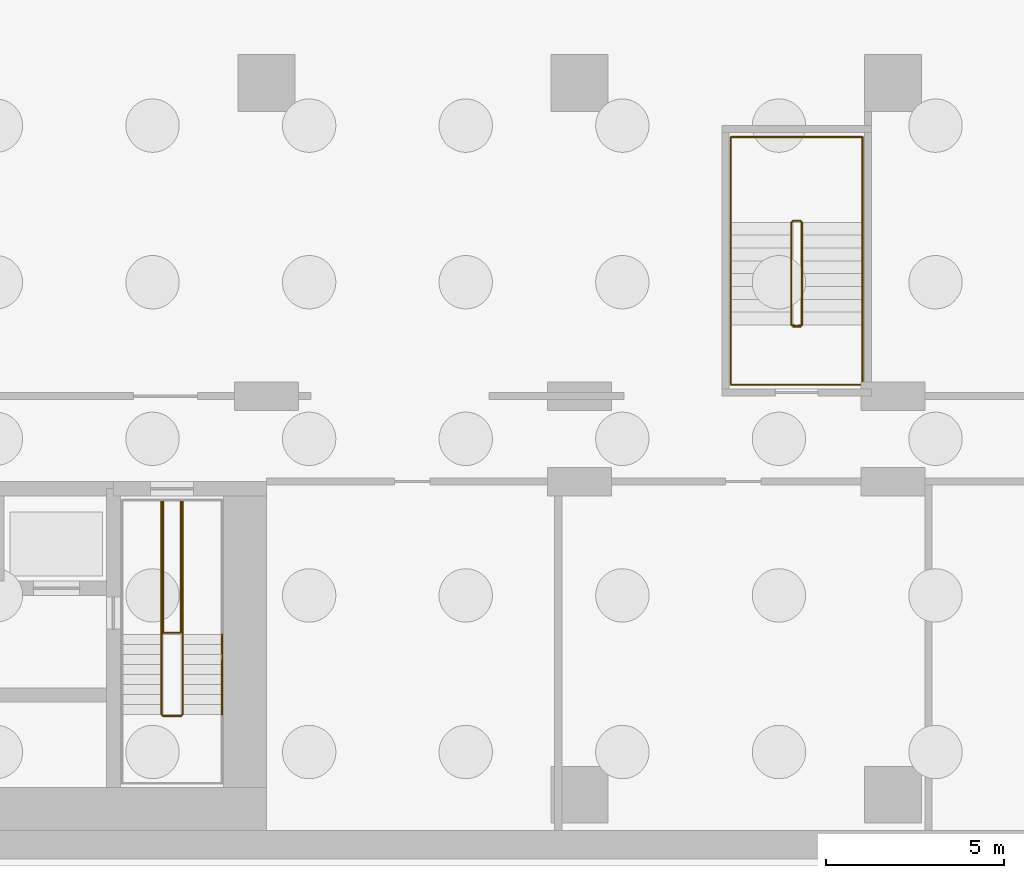
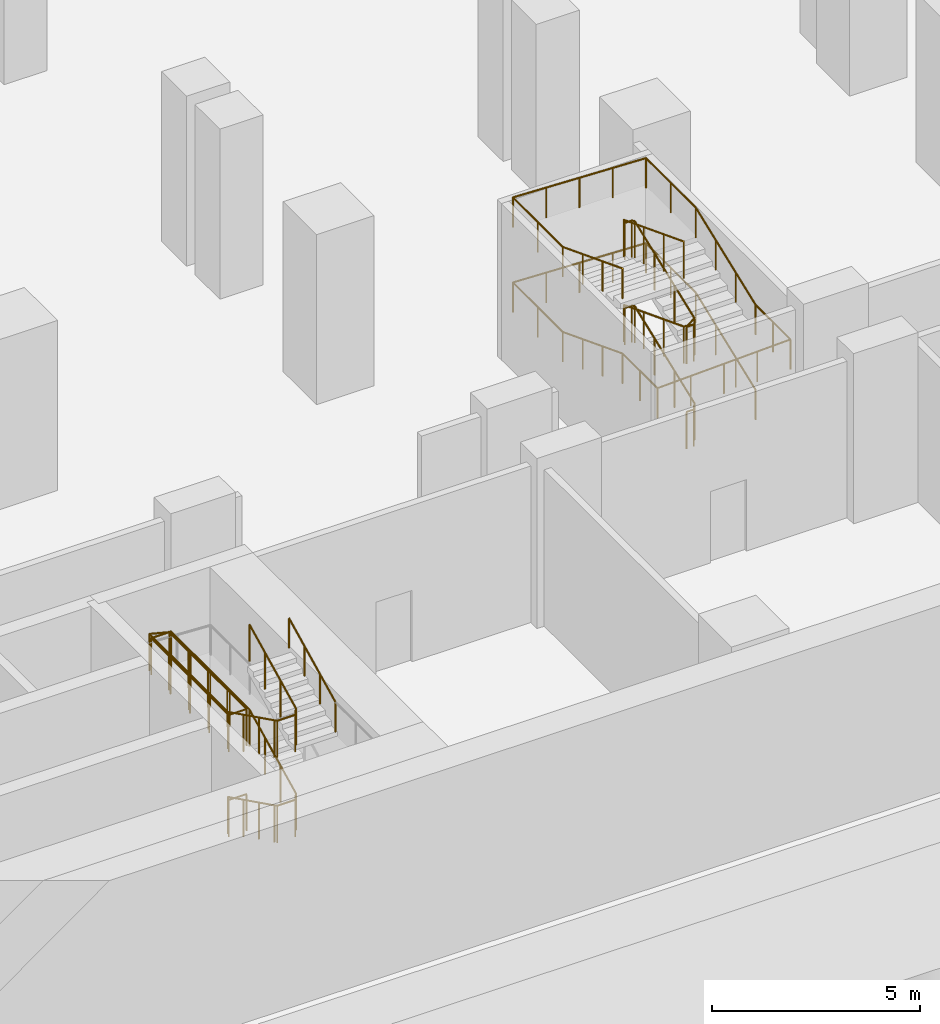
# One storey, part 11 of 14: 4 railings.
"""IFC4 building model written with IfcOpenShell, lengths in metres."""

from ifc_helpers import new_model, si_unit, direction, frame, origin, origin_2d, place, context, subcontext, project, spatial, circle, extrude, material, type_object, element, save


model = new_model("IFC4")

# Units and contexts
model_context = context("Model", 3, precision=1e-05, world=origin(), true_north=direction((0.0, 1.0)))
body_context = subcontext(model_context, "Body", "Model", "MODEL_VIEW")
ifc_project = project(units=[si_unit("LENGTHUNIT", "METRE"), si_unit("AREAUNIT", "SQUARE_METRE"), si_unit("VOLUMEUNIT", "CUBIC_METRE"), si_unit("PLANEANGLEUNIT", "RADIAN"), si_unit("MASSUNIT", "GRAM", prefix="KILO")], contexts=[model_context])

# Site, building, storey
site_placement = place(None, origin())
site = spatial("IfcSite", under=ifc_project, at=site_placement, CompositionType="ELEMENT")
building_placement = place(site_placement, origin())
building = spatial("IfcBuilding", under=site, at=building_placement, Name="Kemantara Hotel Tower", CompositionType="ELEMENT")
storey_placement = place(building_placement, frame((0.0, 0.0, -17.0)))
storey = spatial("IfcBuildingStorey", under=building, at=storey_placement, Name="B3", CompositionType="ELEMENT", Elevation=-17.0)

# Railings
ifc_material = material(Name="Stainless steel balustrade", Category="steel")
railing_type_1 = type_object("IfcRailingType", Name="Stair guard 1100 mm", PredefinedType="GUARDRAIL", material=ifc_material)
railing_1_placement = place(storey_placement, frame((42.64990234375, 5.5, 5.0)))
element("IfcRailing", 1, at=railing_1_placement, inside=storey, type_object=railing_type_1, Name="B3 ST2 stair guard 1", PredefinedType="GUARDRAIL", context=body_context, shape_type="SweptSolid", body=[
    extrude(circle(Radius=0.02392578125, at=origin_2d()), frame((0.0, 0.0, 1.076171875), z_axis=(0.0, -0.895848192791, -0.444360231651), x_axis=(1.0, 0.0, 0.0)), (0.0, 0.0, 1.0), 2.50048828125),
    extrude(circle(Radius=0.02392578125, at=origin_2d()), frame((0.0, -2.239990234375, -0.03515625), z_axis=(-0.319608697381, -0.321175406682, -0.891457592206), x_axis=(0.708833529934, -0.705375805398, 0.0)), (0.0, 0.0, 1.0), 0.15576171875),
    extrude(circle(Radius=0.02392578125, at=origin_2d()), frame((-0.0498046875, -2.2900390625, -0.173828125), z_axis=(-1.0, 0.0, 0.0), x_axis=(0.0, -1.0, 0.0)), (0.0, 0.0, 1.0), 0.5),
    extrude(circle(Radius=0.02392578125, at=origin_2d()), frame((-0.5498046875, -2.2900390625, -0.173828125), z_axis=(-0.707106781187, 0.707106781187, 0.0), x_axis=(-0.707106781187, -0.707106781187, 0.0)), (0.0, 0.0, 1.0), 0.07080078125),
    extrude(circle(Radius=0.02392578125, at=origin_2d()), frame((-0.599853515625, -2.239990234375, -0.173828125), z_axis=(0.0, 0.895848192791, -0.444360231651), x_axis=(-1.0, 0.0, 0.0)), (0.0, 0.0, 1.0), 2.50048828125),
    extrude(circle(Radius=0.02392578125, at=origin_2d()), frame((-0.599853515625, 0.0, -1.28515625), z_axis=(0.0, 1.0, 0.0), x_axis=(-1.0, 0.0, 0.0)), (0.0, 0.0, 1.0), 3.780029296875),
    extrude(circle(Radius=0.02392578125, at=origin_2d()), frame((-0.599853515625, 3.780029296875, -1.28515625), z_axis=(0.969557479204, 0.0, -0.244863828525), x_axis=(0.0, 1.0, 0.0)), (0.0, 0.0, 1.0), 0.5673828125),
    extrude(circle(Radius=0.02392578125, at=origin_2d()), frame((-0.0498046875, 3.780029296875, -1.423828125), z_axis=(0.0, -1.0, 0.0), x_axis=(1.0, 0.0, 0.0)), (0.0, 0.0, 1.0), 3.72998046875),
    extrude(circle(Radius=0.02392578125, at=origin_2d()), frame((-0.0498046875, 0.050048828125, -1.423828125), z_axis=(-1.0, 0.0, 0.0), x_axis=(0.0, -1.0, 0.0)), (0.0, 0.0, 1.0), 0.5),
    extrude(circle(Radius=0.02392578125, at=origin_2d()), frame((-0.5498046875, 0.050048828125, -1.423828125), z_axis=(0.0, 1.0, 0.0), x_axis=(-1.0, 0.0, 0.0)), (0.0, 0.0, 1.0), 3.72998046875),
    extrude(circle(Radius=0.02392578125, at=origin_2d()), frame((-0.5498046875, 3.780029296875, -1.423828125), z_axis=(1.0, 0.0, 0.0), x_axis=(0.0, 1.0, 0.0)), (0.0, 0.0, 1.0), 0.5498046875),
    extrude(circle(Radius=0.02392578125, at=origin_2d()), frame((0.0, 3.780029296875, -1.423828125), z_axis=(0.0, -1.0, 0.0), x_axis=(1.0, 0.0, 0.0)), (0.0, 0.0, 1.0), 3.780029296875),
    extrude(circle(Radius=0.02392578125, at=origin_2d()), frame((0.0, 0.0, -1.423828125), z_axis=(0.0, -0.895848192791, -0.444360231651), x_axis=(1.0, 0.0, 0.0)), (0.0, 0.0, 1.0), 2.50048828125),
    extrude(circle(Radius=0.02392578125, at=origin_2d()), frame((0.0, -2.239990234375, -2.53515625), z_axis=(-0.319608697381, -0.321175406682, -0.891457592206), x_axis=(0.708833529934, -0.705375805398, 0.0)), (0.0, 0.0, 1.0), 0.15576171875),
    extrude(circle(Radius=0.02392578125, at=origin_2d()), frame((-0.0498046875, -2.2900390625, -2.673828125), z_axis=(-1.0, 0.0, 0.0), x_axis=(0.0, -1.0, 0.0)), (0.0, 0.0, 1.0), 0.5),
    extrude(circle(Radius=0.02392578125, at=origin_2d()), frame((-0.5498046875, -2.2900390625, -2.673828125), z_axis=(-0.707106781187, 0.707106781187, 0.0), x_axis=(-0.707106781187, -0.707106781187, 0.0)), (0.0, 0.0, 1.0), 0.07080078125),
    extrude(circle(Radius=0.02392578125, at=origin_2d()), frame((-0.599853515625, -2.239990234375, -2.673828125), z_axis=(0.0, 0.895848192791, -0.444360231651), x_axis=(-1.0, 0.0, 0.0)), (0.0, 0.0, 1.0), 2.50048828125),
    extrude(circle(Radius=0.02392578125, at=origin_2d()), frame((-0.599853515625, 0.0, -3.78515625), z_axis=(0.321014310373, 0.321014310373, -0.891010451718), x_axis=(-0.707106781187, 0.707106781187, 0.0)), (0.0, 0.0, 1.0), 0.156005859375),
    extrude(circle(Radius=0.02392578125, at=origin_2d()), frame((-0.5498046875, 0.050048828125, -3.923828125), z_axis=(1.0, 0.0, 0.0), x_axis=(0.0, 1.0, 0.0)), (0.0, 0.0, 1.0), 0.5),
    extrude(circle(Radius=0.02099609375, at=origin_2d()), origin(), (0.0, 0.0, 1.0), 1.052001953125),
    extrude(circle(Radius=0.02099609375, at=origin_2d()), frame((0.0, -0.74658203125, -0.370361328125)), (0.0, 0.0, 1.0), 1.052001953125),
    extrude(circle(Radius=0.02099609375, at=origin_2d()), frame((0.0, -1.493408203125, -0.74072265625)), (0.0, 0.0, 1.0), 1.052001953125),
    extrude(circle(Radius=0.02099609375, at=origin_2d()), frame((0.0, -2.239990234375, -1.111083984375)), (0.0, 0.0, 1.0), 1.052001953125),
    extrude(circle(Radius=0.02099609375, at=origin_2d()), frame((-0.0498046875, -2.2900390625, -1.25)), (0.0, 0.0, 1.0), 1.052001953125),
    extrude(circle(Radius=0.02099609375, at=origin_2d()), frame((-0.5498046875, -2.2900390625, -1.25)), (0.0, 0.0, 1.0), 1.052001953125),
    extrude(circle(Radius=0.02099609375, at=origin_2d()), frame((-0.599853515625, -2.239990234375, -1.25)), (0.0, 0.0, 1.0), 1.052001953125),
    extrude(circle(Radius=0.02099609375, at=origin_2d()), frame((-0.599853515625, -1.493408203125, -1.620361328125)), (0.0, 0.0, 1.0), 1.052001953125),
    extrude(circle(Radius=0.02099609375, at=origin_2d()), frame((-0.599853515625, -0.74658203125, -1.99072265625)), (0.0, 0.0, 1.0), 1.052001953125),
    extrude(circle(Radius=0.02099609375, at=origin_2d()), frame((-0.599853515625, 0.0, -2.361083984375)), (0.0, 0.0, 1.0), 1.052001953125),
    extrude(circle(Radius=0.02099609375, at=origin_2d()), frame((-0.599853515625, 0.945068359375, -2.361083984375)), (0.0, 0.0, 1.0), 1.052001953125),
    extrude(circle(Radius=0.02099609375, at=origin_2d()), frame((-0.599853515625, 1.89013671875, -2.361083984375)), (0.0, 0.0, 1.0), 1.052001953125),
    extrude(circle(Radius=0.02099609375, at=origin_2d()), frame((-0.599853515625, 2.8349609375, -2.361083984375)), (0.0, 0.0, 1.0), 1.052001953125),
    extrude(circle(Radius=0.02099609375, at=origin_2d()), frame((-0.599853515625, 3.780029296875, -2.361083984375)), (0.0, 0.0, 1.0), 1.052001953125),
    extrude(circle(Radius=0.02099609375, at=origin_2d()), frame((-0.0498046875, 3.780029296875, -2.5)), (0.0, 0.0, 1.0), 1.052001953125),
    extrude(circle(Radius=0.02099609375, at=origin_2d()), frame((-0.0498046875, 2.84765625, -2.5)), (0.0, 0.0, 1.0), 1.052001953125),
    extrude(circle(Radius=0.02099609375, at=origin_2d()), frame((-0.0498046875, 1.9150390625, -2.5)), (0.0, 0.0, 1.0), 1.052001953125),
    extrude(circle(Radius=0.02099609375, at=origin_2d()), frame((-0.0498046875, 0.982421875, -2.5)), (0.0, 0.0, 1.0), 1.052001953125),
    extrude(circle(Radius=0.02099609375, at=origin_2d()), frame((-0.0498046875, 0.050048828125, -2.5)), (0.0, 0.0, 1.0), 1.052001953125),
    extrude(circle(Radius=0.02099609375, at=origin_2d()), frame((-0.5498046875, 0.050048828125, -2.5)), (0.0, 0.0, 1.0), 1.052001953125),
    extrude(circle(Radius=0.02099609375, at=origin_2d()), frame((-0.5498046875, 0.982421875, -2.5)), (0.0, 0.0, 1.0), 1.052001953125),
    extrude(circle(Radius=0.02099609375, at=origin_2d()), frame((-0.5498046875, 1.9150390625, -2.5)), (0.0, 0.0, 1.0), 1.052001953125),
    extrude(circle(Radius=0.02099609375, at=origin_2d()), frame((-0.5498046875, 2.84765625, -2.5)), (0.0, 0.0, 1.0), 1.052001953125),
    extrude(circle(Radius=0.02099609375, at=origin_2d()), frame((-0.5498046875, 3.780029296875, -2.5)), (0.0, 0.0, 1.0), 1.052001953125),
    extrude(circle(Radius=0.02099609375, at=origin_2d()), frame((0.0, 3.780029296875, -2.5)), (0.0, 0.0, 1.0), 1.052001953125),
    extrude(circle(Radius=0.02099609375, at=origin_2d()), frame((0.0, 2.8349609375, -2.5)), (0.0, 0.0, 1.0), 1.052001953125),
    extrude(circle(Radius=0.02099609375, at=origin_2d()), frame((0.0, 1.89013671875, -2.5)), (0.0, 0.0, 1.0), 1.052001953125),
    extrude(circle(Radius=0.02099609375, at=origin_2d()), frame((0.0, 0.945068359375, -2.5)), (0.0, 0.0, 1.0), 1.052001953125),
    extrude(circle(Radius=0.02099609375, at=origin_2d()), frame((0.0, 0.0, -2.5)), (0.0, 0.0, 1.0), 1.052001953125),
    extrude(circle(Radius=0.02099609375, at=origin_2d()), frame((0.0, -0.74658203125, -2.870361328125)), (0.0, 0.0, 1.0), 1.052001953125),
    extrude(circle(Radius=0.02099609375, at=origin_2d()), frame((0.0, -1.493408203125, -3.24072265625)), (0.0, 0.0, 1.0), 1.052001953125),
    extrude(circle(Radius=0.02099609375, at=origin_2d()), frame((0.0, -2.239990234375, -3.611083984375)), (0.0, 0.0, 1.0), 1.052001953125),
    extrude(circle(Radius=0.02099609375, at=origin_2d()), frame((-0.0498046875, -2.2900390625, -3.75)), (0.0, 0.0, 1.0), 1.052001953125),
    extrude(circle(Radius=0.02099609375, at=origin_2d()), frame((-0.5498046875, -2.2900390625, -3.75)), (0.0, 0.0, 1.0), 1.052001953125),
    extrude(circle(Radius=0.02099609375, at=origin_2d()), frame((-0.599853515625, -2.239990234375, -3.75)), (0.0, 0.0, 1.0), 1.052001953125),
    extrude(circle(Radius=0.02099609375, at=origin_2d()), frame((-0.599853515625, -1.493408203125, -4.120361328125)), (0.0, 0.0, 1.0), 1.052001953125),
    extrude(circle(Radius=0.02099609375, at=origin_2d()), frame((-0.599853515625, -0.74658203125, -4.49072265625)), (0.0, 0.0, 1.0), 1.052001953125),
    extrude(circle(Radius=0.02099609375, at=origin_2d()), frame((-0.599853515625, 0.0, -4.861083984375)), (0.0, 0.0, 1.0), 1.052001953125),
    extrude(circle(Radius=0.02099609375, at=origin_2d()), frame((-0.5498046875, 0.050048828125, -5.0)), (0.0, 0.0, 1.0), 1.052001953125),
    extrude(circle(Radius=0.02099609375, at=origin_2d()), frame((-0.0498046875, 0.050048828125, -5.0)), (0.0, 0.0, 1.0), 1.052001953125),
])
railing_2_placement = place(storey_placement, frame((59.75, 14.199951171875, 5.0)))
element("IfcRailing", 2, at=railing_2_placement, inside=storey, type_object=railing_type_1, Name="B3 ST3 stair guard 1", PredefinedType="GUARDRAIL", context=body_context, shape_type="SweptSolid", body=[
    extrude(circle(Radius=0.02392578125, at=origin_2d()), frame((0.0, 0.0, 1.076171875), z_axis=(0.0, 0.932982310422, -0.359922225543), x_axis=(-1.0, 0.0, 0.0)), (0.0, 0.0, 1.0), 3.0869140625),
    extrude(circle(Radius=0.02392578125, at=origin_2d()), frame((0.0, 2.880126953125, -0.03515625), z_axis=(0.321175406682, 0.319608697381, -0.891457592206), x_axis=(-0.705375805398, 0.708833529934, 0.0)), (0.0, 0.0, 1.0), 0.15576171875),
    extrude(circle(Radius=0.02392578125, at=origin_2d()), frame((0.050048828125, 2.929931640625, -0.173828125), z_axis=(1.0, 0.0, 0.0), x_axis=(0.0, 1.0, 0.0)), (0.0, 0.0, 1.0), 0.199951171875),
    extrude(circle(Radius=0.02392578125, at=origin_2d()), frame((0.25, 2.929931640625, -0.173828125), z_axis=(0.708833529934, -0.705375805398, 0.0), x_axis=(0.705375805398, 0.708833529934, 0.0)), (0.0, 0.0, 1.0), 0.070556640625),
    extrude(circle(Radius=0.02392578125, at=origin_2d()), frame((0.300048828125, 2.880126953125, -0.173828125), z_axis=(0.0, -0.932982310422, -0.359922225543), x_axis=(1.0, 0.0, 0.0)), (0.0, 0.0, 1.0), 3.0869140625),
    extrude(circle(Radius=0.02392578125, at=origin_2d()), frame((0.300048828125, 0.0, -1.28515625), z_axis=(-0.861032742868, -0.172374719031, -0.478444951847), x_axis=(0.196300278283, -0.98054382908, 0.0)), (0.0, 0.0, 1.0), 0.290283203125),
    extrude(circle(Radius=0.02392578125, at=origin_2d()), frame((0.050048828125, -0.050048828125, -1.423828125), z_axis=(1.0, 0.0, 0.0), x_axis=(0.0, 1.0, 0.0)), (0.0, 0.0, 1.0), 0.199951171875),
    extrude(circle(Radius=0.02392578125, at=origin_2d()), frame((0.25, -0.050048828125, -1.423828125), z_axis=(-0.98054382908, 0.196300278283, 0.0), x_axis=(-0.196300278283, -0.98054382908, 0.0)), (0.0, 0.0, 1.0), 0.2548828125),
    extrude(circle(Radius=0.02392578125, at=origin_2d()), frame((0.0, 0.0, -1.423828125), z_axis=(0.0, 0.932982310422, -0.359922225543), x_axis=(-1.0, 0.0, 0.0)), (0.0, 0.0, 1.0), 3.0869140625),
    extrude(circle(Radius=0.02392578125, at=origin_2d()), frame((0.0, 2.880126953125, -2.53515625), z_axis=(0.321175406682, 0.319608697381, -0.891457592206), x_axis=(-0.705375805398, 0.708833529934, 0.0)), (0.0, 0.0, 1.0), 0.15576171875),
    extrude(circle(Radius=0.02392578125, at=origin_2d()), frame((0.050048828125, 2.929931640625, -2.673828125), z_axis=(1.0, 0.0, 0.0), x_axis=(0.0, 1.0, 0.0)), (0.0, 0.0, 1.0), 0.199951171875),
    extrude(circle(Radius=0.02392578125, at=origin_2d()), frame((0.25, 2.929931640625, -2.673828125), z_axis=(0.708833529934, -0.705375805398, 0.0), x_axis=(0.705375805398, 0.708833529934, 0.0)), (0.0, 0.0, 1.0), 0.070556640625),
    extrude(circle(Radius=0.02392578125, at=origin_2d()), frame((0.300048828125, 2.880126953125, -2.673828125), z_axis=(0.0, -0.932982310422, -0.359922225543), x_axis=(1.0, 0.0, 0.0)), (0.0, 0.0, 1.0), 3.0869140625),
    extrude(circle(Radius=0.02392578125, at=origin_2d()), frame((0.300048828125, 0.0, -3.78515625), z_axis=(-0.321014310373, -0.321014310373, -0.891010451718), x_axis=(0.707106781187, -0.707106781187, 0.0)), (0.0, 0.0, 1.0), 0.156005859375),
    extrude(circle(Radius=0.02392578125, at=origin_2d()), frame((0.25, -0.050048828125, -3.923828125), z_axis=(-1.0, 0.0, 0.0), x_axis=(0.0, -1.0, 0.0)), (0.0, 0.0, 1.0), 0.199951171875),
    extrude(circle(Radius=0.02099609375, at=origin_2d()), origin(), (0.0, 0.0, 1.0), 1.052001953125),
    extrude(circle(Radius=0.02099609375, at=origin_2d()), frame((0.0, 0.9599609375, -0.370361328125)), (0.0, 0.0, 1.0), 1.052001953125),
    extrude(circle(Radius=0.02099609375, at=origin_2d()), frame((0.0, 1.920166015625, -0.74072265625)), (0.0, 0.0, 1.0), 1.052001953125),
    extrude(circle(Radius=0.02099609375, at=origin_2d()), frame((0.0, 2.880126953125, -1.111083984375)), (0.0, 0.0, 1.0), 1.052001953125),
    extrude(circle(Radius=0.02099609375, at=origin_2d()), frame((0.050048828125, 2.929931640625, -1.25)), (0.0, 0.0, 1.0), 1.052001953125),
    extrude(circle(Radius=0.02099609375, at=origin_2d()), frame((0.25, 2.929931640625, -1.25)), (0.0, 0.0, 1.0), 1.052001953125),
    extrude(circle(Radius=0.02099609375, at=origin_2d()), frame((0.300048828125, 2.880126953125, -1.25)), (0.0, 0.0, 1.0), 1.052001953125),
    extrude(circle(Radius=0.02099609375, at=origin_2d()), frame((0.300048828125, 1.920166015625, -1.620361328125)), (0.0, 0.0, 1.0), 1.052001953125),
    extrude(circle(Radius=0.02099609375, at=origin_2d()), frame((0.300048828125, 0.9599609375, -1.99072265625)), (0.0, 0.0, 1.0), 1.052001953125),
    extrude(circle(Radius=0.02099609375, at=origin_2d()), frame((0.300048828125, 0.0, -2.361083984375)), (0.0, 0.0, 1.0), 1.052001953125),
    extrude(circle(Radius=0.02099609375, at=origin_2d()), frame((0.050048828125, -0.050048828125, -2.5)), (0.0, 0.0, 1.0), 1.052001953125),
    extrude(circle(Radius=0.02099609375, at=origin_2d()), frame((0.25, -0.050048828125, -2.5)), (0.0, 0.0, 1.0), 1.052001953125),
    extrude(circle(Radius=0.02099609375, at=origin_2d()), frame((0.0, 0.0, -2.5)), (0.0, 0.0, 1.0), 1.052001953125),
    extrude(circle(Radius=0.02099609375, at=origin_2d()), frame((0.0, 0.9599609375, -2.870361328125)), (0.0, 0.0, 1.0), 1.052001953125),
    extrude(circle(Radius=0.02099609375, at=origin_2d()), frame((0.0, 1.920166015625, -3.24072265625)), (0.0, 0.0, 1.0), 1.052001953125),
    extrude(circle(Radius=0.02099609375, at=origin_2d()), frame((0.0, 2.880126953125, -3.611083984375)), (0.0, 0.0, 1.0), 1.052001953125),
    extrude(circle(Radius=0.02099609375, at=origin_2d()), frame((0.050048828125, 2.929931640625, -3.75)), (0.0, 0.0, 1.0), 1.052001953125),
    extrude(circle(Radius=0.02099609375, at=origin_2d()), frame((0.25, 2.929931640625, -3.75)), (0.0, 0.0, 1.0), 1.052001953125),
    extrude(circle(Radius=0.02099609375, at=origin_2d()), frame((0.300048828125, 2.880126953125, -3.75)), (0.0, 0.0, 1.0), 1.052001953125),
    extrude(circle(Radius=0.02099609375, at=origin_2d()), frame((0.300048828125, 1.920166015625, -4.120361328125)), (0.0, 0.0, 1.0), 1.052001953125),
    extrude(circle(Radius=0.02099609375, at=origin_2d()), frame((0.300048828125, 0.9599609375, -4.49072265625)), (0.0, 0.0, 1.0), 1.052001953125),
    extrude(circle(Radius=0.02099609375, at=origin_2d()), frame((0.300048828125, 0.0, -4.861083984375)), (0.0, 0.0, 1.0), 1.052001953125),
    extrude(circle(Radius=0.02099609375, at=origin_2d()), frame((0.25, -0.050048828125, -5.0)), (0.0, 0.0, 1.0), 1.052001953125),
    extrude(circle(Radius=0.02099609375, at=origin_2d()), frame((0.050048828125, -0.050048828125, -5.0)), (0.0, 0.0, 1.0), 1.052001953125),
])
railing_type_2 = type_object("IfcRailingType", Name="Stair handrail 900 mm", PredefinedType="HANDRAIL", material=ifc_material)
railing_3_placement = place(storey_placement, frame((43.75, 3.260009765625, 3.888916015625)))
element("IfcRailing", 3, at=railing_3_placement, inside=storey, type_object=railing_type_2, Name="B3 ST2 stair handrail 3", PredefinedType="HANDRAIL", context=body_context, shape_type="SweptSolid", body=[
    extrude(circle(Radius=0.02392578125, at=origin_2d()), frame((0.0, 0.0, 0.8759765625), z_axis=(0.0, 0.895848192791, 0.444360231651), x_axis=(-1.0, 0.0, 0.0)), (0.0, 0.0, 1.0), 2.50048828125),
    extrude(circle(Radius=0.02099609375, at=origin_2d()), origin(), (0.0, 0.0, 1.0), 0.851806640625),
    extrude(circle(Radius=0.02099609375, at=origin_2d()), frame((0.0, 0.74658203125, 0.370361328125)), (0.0, 0.0, 1.0), 0.851806640625),
    extrude(circle(Radius=0.02099609375, at=origin_2d()), frame((0.0, 1.493408203125, 0.74072265625)), (0.0, 0.0, 1.0), 0.851806640625),
    extrude(circle(Radius=0.02099609375, at=origin_2d()), frame((0.0, 2.239990234375, 1.111083984375)), (0.0, 0.0, 1.0), 0.851806640625),
])
railing_4_placement = place(storey_placement, frame((61.75, 14.199951171875, 0.138916015625)))
element("IfcRailing", 4, at=railing_4_placement, inside=storey, type_object=railing_type_2, Name="B3 ST3 stair handrail 1", PredefinedType="HANDRAIL", context=body_context, shape_type="SweptSolid", body=[
    extrude(circle(Radius=0.02392578125, at=origin_2d()), frame((0.0, 0.0, 0.8759765625), z_axis=(0.0, 0.932982310422, 0.359922225543), x_axis=(-1.0, 0.0, 0.0)), (0.0, 0.0, 1.0), 3.0869140625),
    extrude(circle(Radius=0.02392578125, at=origin_2d()), frame((0.0, 2.880126953125, 1.98681640625), z_axis=(0.0, 1.0, 0.0), x_axis=(-1.0, 0.0, 0.0)), (0.0, 0.0, 1.0), 2.39990234375),
    extrude(circle(Radius=0.02392578125, at=origin_2d()), frame((0.0, 5.280029296875, 1.98681640625), z_axis=(-0.999295917098, 0.0, 0.037518929517), x_axis=(0.0, -1.0, 0.0)), (0.0, 0.0, 1.0), 3.70263671875),
    extrude(circle(Radius=0.02392578125, at=origin_2d()), frame((-3.699951171875, 5.280029296875, 2.1259765625), z_axis=(0.0, -1.0, 0.0), x_axis=(1.0, 0.0, 0.0)), (0.0, 0.0, 1.0), 2.39990234375),
    extrude(circle(Radius=0.02392578125, at=origin_2d()), frame((-3.699951171875, 2.880126953125, 2.1259765625), z_axis=(0.0, -0.932982310422, 0.359922225543), x_axis=(1.0, 0.0, 0.0)), (0.0, 0.0, 1.0), 3.0869140625),
    extrude(circle(Radius=0.02392578125, at=origin_2d()), frame((-3.699951171875, 0.0, 3.23681640625), z_axis=(0.0, -1.0, 0.0), x_axis=(1.0, 0.0, 0.0)), (0.0, 0.0, 1.0), 1.679931640625),
    extrude(circle(Radius=0.02392578125, at=origin_2d()), frame((-3.699951171875, -1.679931640625, 3.23681640625), z_axis=(0.999295917098, 0.0, 0.037518929517), x_axis=(0.0, 1.0, 0.0)), (0.0, 0.0, 1.0), 3.70263671875),
    extrude(circle(Radius=0.02392578125, at=origin_2d()), frame((0.0, -1.679931640625, 3.3759765625), z_axis=(0.0, 1.0, 0.0), x_axis=(-1.0, 0.0, 0.0)), (0.0, 0.0, 1.0), 1.679931640625),
    extrude(circle(Radius=0.02392578125, at=origin_2d()), frame((0.0, 0.0, 3.3759765625), z_axis=(0.0, 0.932982310422, 0.359922225543), x_axis=(-1.0, 0.0, 0.0)), (0.0, 0.0, 1.0), 3.0869140625),
    extrude(circle(Radius=0.02392578125, at=origin_2d()), frame((0.0, 2.880126953125, 4.48681640625), z_axis=(0.0, 1.0, 0.0), x_axis=(-1.0, 0.0, 0.0)), (0.0, 0.0, 1.0), 2.39990234375),
    extrude(circle(Radius=0.02392578125, at=origin_2d()), frame((0.0, 5.280029296875, 4.48681640625), z_axis=(-0.999295917098, 0.0, 0.037518929517), x_axis=(0.0, -1.0, 0.0)), (0.0, 0.0, 1.0), 3.70263671875),
    extrude(circle(Radius=0.02392578125, at=origin_2d()), frame((-3.699951171875, 5.280029296875, 4.6259765625), z_axis=(0.0, -1.0, 0.0), x_axis=(1.0, 0.0, 0.0)), (0.0, 0.0, 1.0), 2.39990234375),
    extrude(circle(Radius=0.02392578125, at=origin_2d()), frame((-3.699951171875, 2.880126953125, 4.6259765625), z_axis=(0.0, -0.932982310422, 0.359922225543), x_axis=(1.0, 0.0, 0.0)), (0.0, 0.0, 1.0), 3.0869140625),
    extrude(circle(Radius=0.02099609375, at=origin_2d()), origin(), (0.0, 0.0, 1.0), 0.851806640625),
    extrude(circle(Radius=0.02099609375, at=origin_2d()), frame((0.0, 0.9599609375, 0.370361328125)), (0.0, 0.0, 1.0), 0.851806640625),
    extrude(circle(Radius=0.02099609375, at=origin_2d()), frame((0.0, 1.920166015625, 0.74072265625)), (0.0, 0.0, 1.0), 0.851806640625),
    extrude(circle(Radius=0.02099609375, at=origin_2d()), frame((0.0, 2.880126953125, 1.111083984375)), (0.0, 0.0, 1.0), 0.851806640625),
    extrude(circle(Radius=0.02099609375, at=origin_2d()), frame((0.0, 4.080078125, 1.111083984375)), (0.0, 0.0, 1.0), 0.851806640625),
    extrude(circle(Radius=0.02099609375, at=origin_2d()), frame((0.0, 5.280029296875, 1.111083984375)), (0.0, 0.0, 1.0), 0.851806640625),
    extrude(circle(Radius=0.02099609375, at=origin_2d()), frame((-0.925048828125, 5.280029296875, 1.145751953125)), (0.0, 0.0, 1.0), 0.851806640625),
    extrude(circle(Radius=0.02099609375, at=origin_2d()), frame((-1.85009765625, 5.280029296875, 1.1806640625)), (0.0, 0.0, 1.0), 0.851806640625),
    extrude(circle(Radius=0.02099609375, at=origin_2d()), frame((-2.77490234375, 5.280029296875, 1.21533203125)), (0.0, 0.0, 1.0), 0.851806640625),
    extrude(circle(Radius=0.02099609375, at=origin_2d()), frame((-3.699951171875, 5.280029296875, 1.25)), (0.0, 0.0, 1.0), 0.851806640625),
    extrude(circle(Radius=0.02099609375, at=origin_2d()), frame((-3.699951171875, 4.080078125, 1.25)), (0.0, 0.0, 1.0), 0.851806640625),
    extrude(circle(Radius=0.02099609375, at=origin_2d()), frame((-3.699951171875, 2.880126953125, 1.25)), (0.0, 0.0, 1.0), 0.851806640625),
    extrude(circle(Radius=0.02099609375, at=origin_2d()), frame((-3.699951171875, 1.920166015625, 1.620361328125)), (0.0, 0.0, 1.0), 0.851806640625),
    extrude(circle(Radius=0.02099609375, at=origin_2d()), frame((-3.699951171875, 0.9599609375, 1.99072265625)), (0.0, 0.0, 1.0), 0.851806640625),
    extrude(circle(Radius=0.02099609375, at=origin_2d()), frame((-3.699951171875, 0.0, 2.361083984375)), (0.0, 0.0, 1.0), 0.851806640625),
    extrude(circle(Radius=0.02099609375, at=origin_2d()), frame((-3.699951171875, -0.83984375, 2.361083984375)), (0.0, 0.0, 1.0), 0.851806640625),
    extrude(circle(Radius=0.02099609375, at=origin_2d()), frame((-3.699951171875, -1.679931640625, 2.361083984375)), (0.0, 0.0, 1.0), 0.851806640625),
    extrude(circle(Radius=0.02099609375, at=origin_2d()), frame((-2.77490234375, -1.679931640625, 2.395751953125)), (0.0, 0.0, 1.0), 0.851806640625),
    extrude(circle(Radius=0.02099609375, at=origin_2d()), frame((-1.85009765625, -1.679931640625, 2.4306640625)), (0.0, 0.0, 1.0), 0.851806640625),
    extrude(circle(Radius=0.02099609375, at=origin_2d()), frame((-0.925048828125, -1.679931640625, 2.46533203125)), (0.0, 0.0, 1.0), 0.851806640625),
    extrude(circle(Radius=0.02099609375, at=origin_2d()), frame((0.0, -1.679931640625, 2.5)), (0.0, 0.0, 1.0), 0.851806640625),
    extrude(circle(Radius=0.02099609375, at=origin_2d()), frame((0.0, -0.83984375, 2.5)), (0.0, 0.0, 1.0), 0.851806640625),
    extrude(circle(Radius=0.02099609375, at=origin_2d()), frame((0.0, 0.0, 2.5)), (0.0, 0.0, 1.0), 0.851806640625),
    extrude(circle(Radius=0.02099609375, at=origin_2d()), frame((0.0, 0.9599609375, 2.870361328125)), (0.0, 0.0, 1.0), 0.851806640625),
    extrude(circle(Radius=0.02099609375, at=origin_2d()), frame((0.0, 1.920166015625, 3.24072265625)), (0.0, 0.0, 1.0), 0.851806640625),
    extrude(circle(Radius=0.02099609375, at=origin_2d()), frame((0.0, 2.880126953125, 3.611083984375)), (0.0, 0.0, 1.0), 0.851806640625),
    extrude(circle(Radius=0.02099609375, at=origin_2d()), frame((0.0, 4.080078125, 3.611083984375)), (0.0, 0.0, 1.0), 0.851806640625),
    extrude(circle(Radius=0.02099609375, at=origin_2d()), frame((0.0, 5.280029296875, 3.611083984375)), (0.0, 0.0, 1.0), 0.851806640625),
    extrude(circle(Radius=0.02099609375, at=origin_2d()), frame((-0.925048828125, 5.280029296875, 3.645751953125)), (0.0, 0.0, 1.0), 0.851806640625),
    extrude(circle(Radius=0.02099609375, at=origin_2d()), frame((-1.85009765625, 5.280029296875, 3.6806640625)), (0.0, 0.0, 1.0), 0.851806640625),
    extrude(circle(Radius=0.02099609375, at=origin_2d()), frame((-2.77490234375, 5.280029296875, 3.71533203125)), (0.0, 0.0, 1.0), 0.851806640625),
    extrude(circle(Radius=0.02099609375, at=origin_2d()), frame((-3.699951171875, 5.280029296875, 3.75)), (0.0, 0.0, 1.0), 0.851806640625),
    extrude(circle(Radius=0.02099609375, at=origin_2d()), frame((-3.699951171875, 4.080078125, 3.75)), (0.0, 0.0, 1.0), 0.851806640625),
    extrude(circle(Radius=0.02099609375, at=origin_2d()), frame((-3.699951171875, 2.880126953125, 3.75)), (0.0, 0.0, 1.0), 0.851806640625),
    extrude(circle(Radius=0.02099609375, at=origin_2d()), frame((-3.699951171875, 1.920166015625, 4.120361328125)), (0.0, 0.0, 1.0), 0.851806640625),
    extrude(circle(Radius=0.02099609375, at=origin_2d()), frame((-3.699951171875, 0.9599609375, 4.49072265625)), (0.0, 0.0, 1.0), 0.851806640625),
    extrude(circle(Radius=0.02099609375, at=origin_2d()), frame((-3.699951171875, 0.0, 4.861083984375)), (0.0, 0.0, 1.0), 0.851806640625),
])

save(model, "model.ifc")
